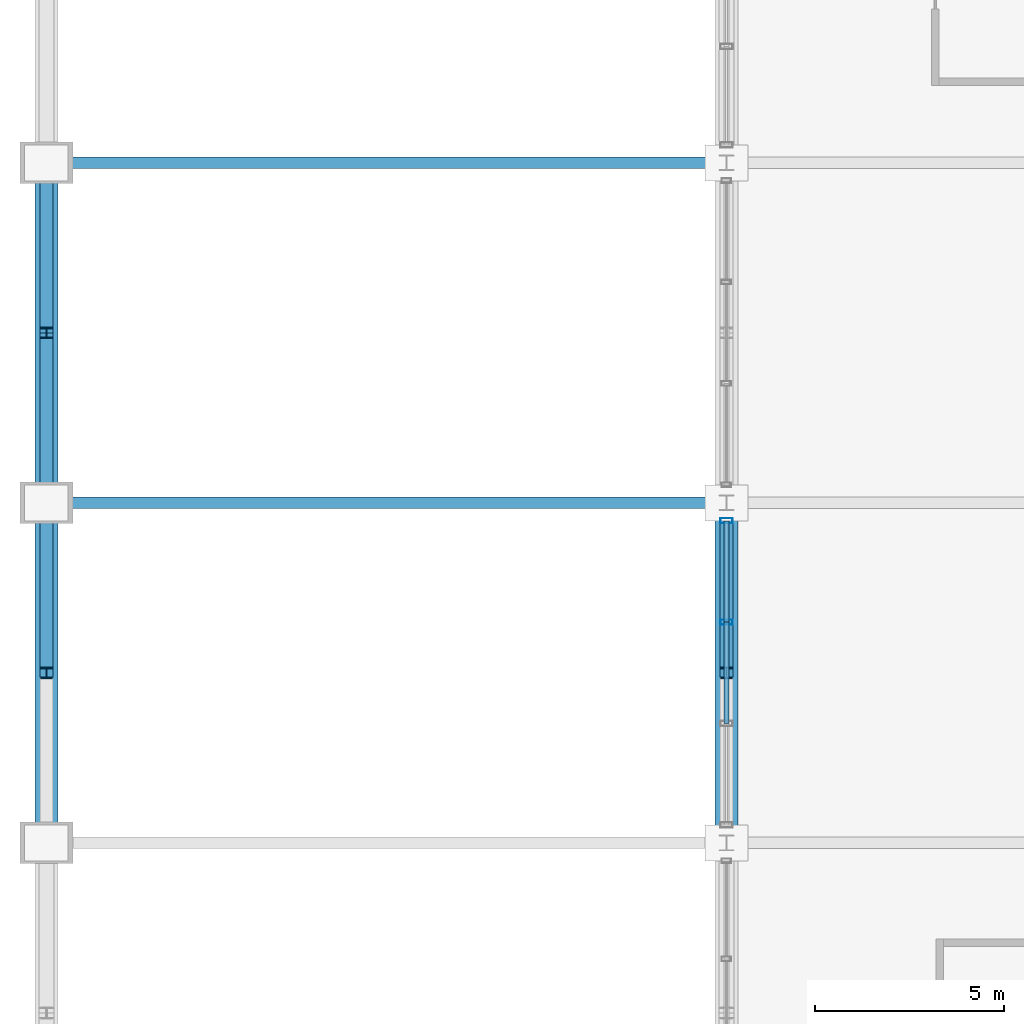
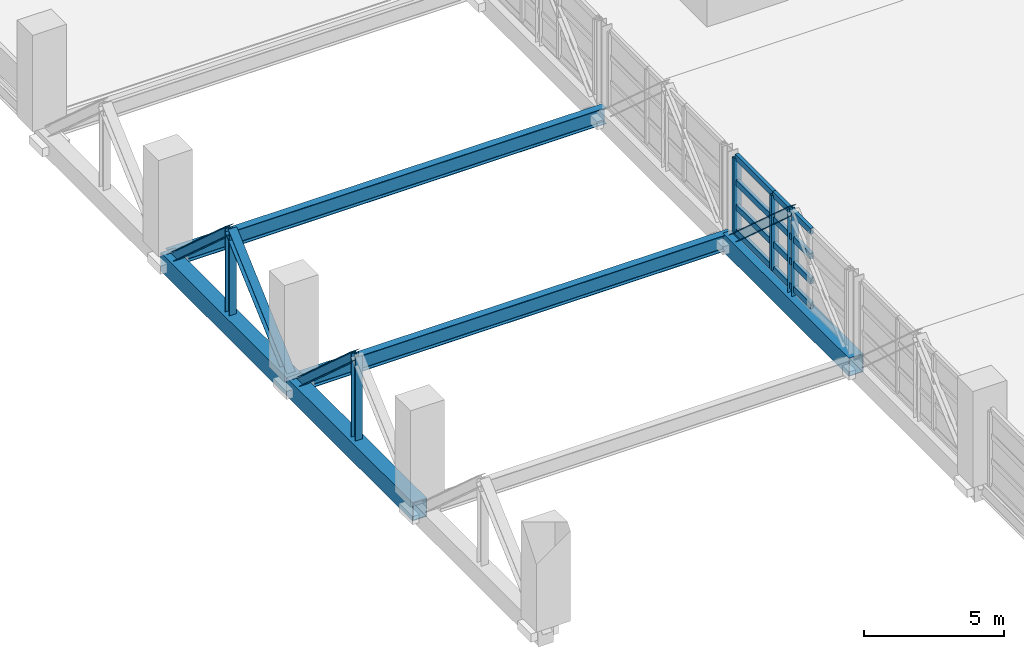
# One storey, part 26 of 136: 17 members, 5 beams, 1 element without a shape of its own.
"""IFC4 building model written with IfcOpenShell, lengths in metres."""

from ifc_helpers import new_model, si_unit, direction, frame, origin, origin_2d, place, context, subcontext, project, spatial, hollow_rectangle, i_section, extrude, material, material_profile, profile_set, type_object, element, aggregate, save


model = new_model("IFC4")

# Units and contexts
model_context = context("Model", 3, precision=1e-05, world=origin(), true_north=direction((0.0, 1.0)))
body_context = subcontext(model_context, "Body", "Model", "MODEL_VIEW")
ifc_project = project(units=[si_unit("LENGTHUNIT", "METRE"), si_unit("AREAUNIT", "SQUARE_METRE"), si_unit("VOLUMEUNIT", "CUBIC_METRE"), si_unit("PLANEANGLEUNIT", "RADIAN"), si_unit("MASSUNIT", "GRAM", prefix="KILO")], contexts=[model_context])

# Site, building, storey
site_placement = place(None, origin())
site = spatial("IfcSite", under=ifc_project, at=site_placement, CompositionType="ELEMENT")
building_placement = place(site_placement, origin())
building = spatial("IfcBuilding", under=site, at=building_placement, Name="Chuanluo Vaults Station", CompositionType="ELEMENT")
storey_placement = place(building_placement, frame((0.0, 0.0, 6.60009765625)))
storey = spatial("IfcBuildingStorey", under=building, at=storey_placement, Name="L01", CompositionType="ELEMENT", Elevation=6.60009765625)

# Beams
ifc_material_1 = material(Name="Steel Q355C", Category="steel")
ifc_material_profile_1 = material_profile(ifc_material_1, i_section(OverallWidth=0.300048828125, OverallDepth=0.699951171875, WebThickness=0.012939453125, FlangeThickness=0.02392578125, FilletRadius=0.02197265625, at=origin_2d()))
ifc_profile_set_1 = profile_set([ifc_material_profile_1], Name="Steel Q355C")
beam_type_1 = type_object("IfcBeamType", Name="BM-GRD-700", PredefinedType="USERDEFINED", material=ifc_profile_set_1)
for number, where, z_axis, x_axis, name in (
    (1, (0.0, 85.5, -0.630126953125), (1.0, 0.0, 0.0), (0.0, 1.0, 0.0), "Over-track concourse floor girder 1-85"),
    (2, (0.0, 94.5, -0.630126953125), (1.0, 0.0, 0.0), (0.0, 1.0, 0.0), "Over-track concourse floor girder 1-94"),
):
    element("IfcBeam", number, at=place(storey_placement, frame(where, z_axis=z_axis, x_axis=x_axis)), inside=storey, type_object=beam_type_1, Name=name, ObjectType="GIRDER", PredefinedType="USERDEFINED", context=body_context, shape_type="SweptSolid", body=[
        extrude(i_section(OverallWidth=0.300048828125, OverallDepth=0.699951171875, WebThickness=0.012939453125, FlangeThickness=0.02392578125, FilletRadius=0.02197265625, at=origin_2d()), origin(), (0.0, 0.0, 1.0), 18.0),
    ])
ifc_material_2 = material(Name="Steel Q390C", Category="steel")
ifc_material_profile_2 = material_profile(ifc_material_2, hollow_rectangle(XDim=0.60009765625, YDim=0.800048828125, WallThickness=0.031982421875, at=origin_2d()))
ifc_profile_set_2 = profile_set([ifc_material_profile_2], Name="Steel Q390C")
beam_type_2 = type_object("IfcBeamType", Name="BM-TT-BOT", PredefinedType="USERDEFINED", material=ifc_profile_set_2)
for number, where, z_axis, x_axis, name in (
    (3, (0.0, 76.5, -0.68017578125), (0.0, 1.0, 0.0), (-1.0, 0.0, 0.0), "Transfer truss TT-1 bottom chord 2"),
    (4, (0.0, 85.5, -0.68017578125), (0.0, 1.0, 0.0), (-1.0, 0.0, 0.0), "Transfer truss TT-1 bottom chord 3"),
    (5, (18.0, 76.5, -0.68017578125), (0.0, 1.0, 0.0), (-1.0, 0.0, 0.0), "Transfer truss TT-2 bottom chord 2"),
):
    element("IfcBeam", number, at=place(storey_placement, frame(where, z_axis=z_axis, x_axis=x_axis)), inside=storey, type_object=beam_type_2, Name=name, ObjectType="GIRDER", PredefinedType="USERDEFINED", context=body_context, shape_type="SweptSolid", body=[
        extrude(hollow_rectangle(XDim=0.60009765625, YDim=0.800048828125, WallThickness=0.031982421875, at=origin_2d()), origin(), (0.0, 0.0, 1.0), 9.0),
    ])

# Curtain wall, members
ifc_material_3 = material(Name="Anodised aluminium 6063-T6", Category="aluminium")
curtain_wall_type = type_object("IfcCurtainWallType", Name="CW-SYS-25", PredefinedType="NOTDEFINED", material=ifc_material_3)
curtain_wall_placement = place(storey_placement, origin())
curtain_wall = element("IfcCurtainWall", 6, at=curtain_wall_placement, inside=storey, type_object=curtain_wall_type, Name="Over-track west hall CW 76", PredefinedType="NOTDEFINED")
ifc_material_4 = material(Name="Anodised aluminium 6063-T6", Category="aluminium")
ifc_material_profile_3 = material_profile(ifc_material_4, hollow_rectangle(XDim=0.139892578125, YDim=0.320068359375, WallThickness=0.008056640625, at=origin_2d()))
ifc_profile_set_3 = profile_set([ifc_material_profile_3], Name="Anodised aluminium 6063-T6")
member_type_1 = type_object("IfcMemberType", Name="CWM-220", PredefinedType="MULLION", material=ifc_profile_set_3)
member_1_placement = place(storey_placement, frame((18.0, 82.341796875, 0.0), z_axis=(0.0, 0.0, 1.0), x_axis=(0.0, 1.0, 0.0)))
member_1 = element("IfcMember", 7, at=member_1_placement, type_object=member_type_1, Name="Over-track west hall CW 76 mullion 3", PredefinedType="MULLION", context=body_context, shape_type="SweptSolid", body=[
    extrude(hollow_rectangle(XDim=0.139892578125, YDim=0.320068359375, WallThickness=0.008056640625, at=origin_2d()), origin(), (0.0, 0.0, 1.0), 3.25),
])
member_2_placement = place(storey_placement, frame((18.0, 85.02490234375, 0.0), z_axis=(0.0, 0.0, 1.0), x_axis=(0.0, 1.0, 0.0)))
member_2 = element("IfcMember", 8, at=member_2_placement, type_object=member_type_1, Name="Over-track west hall CW 76 mullion 4", PredefinedType="MULLION", context=body_context, shape_type="SweptSolid", body=[
    extrude(hollow_rectangle(XDim=0.139892578125, YDim=0.320068359375, WallThickness=0.008056640625, at=origin_2d()), origin(), (0.0, 0.0, 1.0), 3.25),
])
ifc_material_5 = material(Name="Anodised aluminium 6063-T6", Category="aluminium")
ifc_material_profile_4 = material_profile(ifc_material_5, hollow_rectangle(XDim=0.139892578125, YDim=0.260009765625, WallThickness=0.007080078125, at=origin_2d()))
ifc_profile_set_4 = profile_set([ifc_material_profile_4], Name="Anodised aluminium 6063-T6")
member_type_2 = type_object("IfcMemberType", Name="CWT-180", PredefinedType="USERDEFINED", material=ifc_profile_set_4)
member_3_placement = place(storey_placement, frame((18.0, 79.658203125, 0.0), z_axis=(0.0, 1.0, 0.0), x_axis=(-1.0, 0.0, 0.0)))
member_3 = element("IfcMember", 9, at=member_3_placement, type_object=member_type_2, Name="Over-track west hall CW 76 transom 2.1", ObjectType="TRANSOM", PredefinedType="USERDEFINED", context=body_context, shape_type="SweptSolid", body=[
    extrude(hollow_rectangle(XDim=0.139892578125, YDim=0.260009765625, WallThickness=0.007080078125, at=origin_2d()), origin(), (0.0, 0.0, 1.0), 2.68359375),
])
member_4_placement = place(storey_placement, frame((18.0, 79.658203125, 1.083251953125), z_axis=(0.0, 1.0, 0.0), x_axis=(-1.0, 0.0, 0.0)))
member_4 = element("IfcMember", 10, at=member_4_placement, type_object=member_type_2, Name="Over-track west hall CW 76 transom 2.2", ObjectType="TRANSOM", PredefinedType="USERDEFINED", context=body_context, shape_type="SweptSolid", body=[
    extrude(hollow_rectangle(XDim=0.139892578125, YDim=0.260009765625, WallThickness=0.007080078125, at=origin_2d()), origin(), (0.0, 0.0, 1.0), 2.68359375),
])
member_5_placement = place(storey_placement, frame((18.0, 79.658203125, 2.16650390625), z_axis=(0.0, 1.0, 0.0), x_axis=(-1.0, 0.0, 0.0)))
member_5 = element("IfcMember", 11, at=member_5_placement, type_object=member_type_2, Name="Over-track west hall CW 76 transom 2.3", ObjectType="TRANSOM", PredefinedType="USERDEFINED", context=body_context, shape_type="SweptSolid", body=[
    extrude(hollow_rectangle(XDim=0.139892578125, YDim=0.260009765625, WallThickness=0.007080078125, at=origin_2d()), origin(), (0.0, 0.0, 1.0), 2.68359375),
])
member_6_placement = place(storey_placement, frame((18.0, 79.658203125, 3.25), z_axis=(0.0, 1.0, 0.0), x_axis=(-1.0, 0.0, 0.0)))
member_6 = element("IfcMember", 12, at=member_6_placement, type_object=member_type_2, Name="Over-track west hall CW 76 transom 2.4", ObjectType="TRANSOM", PredefinedType="USERDEFINED", context=body_context, shape_type="SweptSolid", body=[
    extrude(hollow_rectangle(XDim=0.139892578125, YDim=0.260009765625, WallThickness=0.007080078125, at=origin_2d()), origin(), (0.0, 0.0, 1.0), 2.68359375),
])
member_7_placement = place(storey_placement, frame((18.0, 82.341796875, 0.0), z_axis=(0.0, 1.0, 0.0), x_axis=(-1.0, 0.0, 0.0)))
member_7 = element("IfcMember", 13, at=member_7_placement, type_object=member_type_2, Name="Over-track west hall CW 76 transom 3.1", ObjectType="TRANSOM", PredefinedType="USERDEFINED", context=body_context, shape_type="SweptSolid", body=[
    extrude(hollow_rectangle(XDim=0.139892578125, YDim=0.260009765625, WallThickness=0.007080078125, at=origin_2d()), origin(), (0.0, 0.0, 1.0), 2.68310546875),
])
member_8_placement = place(storey_placement, frame((18.0, 82.341796875, 1.083251953125), z_axis=(0.0, 1.0, 0.0), x_axis=(-1.0, 0.0, 0.0)))
member_8 = element("IfcMember", 14, at=member_8_placement, type_object=member_type_2, Name="Over-track west hall CW 76 transom 3.2", ObjectType="TRANSOM", PredefinedType="USERDEFINED", context=body_context, shape_type="SweptSolid", body=[
    extrude(hollow_rectangle(XDim=0.139892578125, YDim=0.260009765625, WallThickness=0.007080078125, at=origin_2d()), origin(), (0.0, 0.0, 1.0), 2.68310546875),
])
member_9_placement = place(storey_placement, frame((18.0, 82.341796875, 2.16650390625), z_axis=(0.0, 1.0, 0.0), x_axis=(-1.0, 0.0, 0.0)))
member_9 = element("IfcMember", 15, at=member_9_placement, type_object=member_type_2, Name="Over-track west hall CW 76 transom 3.3", ObjectType="TRANSOM", PredefinedType="USERDEFINED", context=body_context, shape_type="SweptSolid", body=[
    extrude(hollow_rectangle(XDim=0.139892578125, YDim=0.260009765625, WallThickness=0.007080078125, at=origin_2d()), origin(), (0.0, 0.0, 1.0), 2.68310546875),
])
member_10_placement = place(storey_placement, frame((18.0, 82.341796875, 3.25), z_axis=(0.0, 1.0, 0.0), x_axis=(-1.0, 0.0, 0.0)))
member_10 = element("IfcMember", 16, at=member_10_placement, type_object=member_type_2, Name="Over-track west hall CW 76 transom 3.4", ObjectType="TRANSOM", PredefinedType="USERDEFINED", context=body_context, shape_type="SweptSolid", body=[
    extrude(hollow_rectangle(XDim=0.139892578125, YDim=0.260009765625, WallThickness=0.007080078125, at=origin_2d()), origin(), (0.0, 0.0, 1.0), 2.68310546875),
])
aggregate(curtain_wall, [member_1, member_2, member_3, member_4, member_5, member_6, member_7, member_8, member_9, member_10])

# Members
ifc_material_6 = material(Name="Steel Q390C", Category="steel")
ifc_material_profile_5 = material_profile(ifc_material_6, i_section(OverallWidth=0.35009765625, OverallDepth=0.35009765625, WebThickness=0.011962890625, FlangeThickness=0.01904296875, FilletRadius=0.02001953125, at=origin_2d()))
ifc_profile_set_5 = profile_set([ifc_material_profile_5], Name="Steel Q390C")
member_type_3 = type_object("IfcMemberType", Name="MEM-DIAG-350", PredefinedType="BRACE", material=ifc_profile_set_5)
for number, where, z_axis, x_axis, name in (
    (17, (0.0, 81.0, 3.349853515625), (0.0, 0.744935757439, -0.667136205949), (-1.0, 0.0, 0.0), "Transfer truss TT-1 diagonal 2B"),
    (18, (0.0, 85.5, -0.68017578125), (0.0, 0.744935757439, 0.667136205949), (-1.0, 0.0, 0.0), "Transfer truss TT-1 diagonal 3A"),
    (19, (0.0, 90.0, 3.349853515625), (0.0, 0.744935757439, -0.667136205949), (-1.0, 0.0, 0.0), "Transfer truss TT-1 diagonal 3B"),
    (20, (18.0, 81.0, 3.349853515625), (0.0, 0.744935757439, -0.667136205949), (-1.0, 0.0, 0.0), "Transfer truss TT-2 diagonal 2B"),
):
    element("IfcMember", number, at=place(storey_placement, frame(where, z_axis=z_axis, x_axis=x_axis)), inside=storey, type_object=member_type_3, Name=name, PredefinedType="BRACE", context=body_context, shape_type="SweptSolid", body=[
        extrude(i_section(OverallWidth=0.35009765625, OverallDepth=0.35009765625, WebThickness=0.011962890625, FlangeThickness=0.01904296875, FilletRadius=0.02001953125, at=origin_2d()), origin(), (0.0, 0.0, 1.0), 6.040771484375),
    ])
ifc_material_7 = material(Name="Steel Q390C", Category="steel")
ifc_material_profile_6 = material_profile(ifc_material_7, i_section(OverallWidth=0.300048828125, OverallDepth=0.300048828125, WebThickness=0.010009765625, FlangeThickness=0.014892578125, FilletRadius=0.01806640625, at=origin_2d()))
ifc_profile_set_6 = profile_set([ifc_material_profile_6], Name="Steel Q390C")
member_type_4 = type_object("IfcMemberType", Name="MEM-VERT-300", PredefinedType="POST", material=ifc_profile_set_6)
for number, where, z_axis, x_axis, name in (
    (21, (0.0, 81.0, -0.68017578125), (0.0, 0.0, 1.0), (1.0, 0.0, 0.0), "Transfer truss TT-1 mid-panel hanger 2"),
    (22, (0.0, 90.0, -0.68017578125), (0.0, 0.0, 1.0), (1.0, 0.0, 0.0), "Transfer truss TT-1 mid-panel hanger 3"),
    (23, (18.0, 81.0, -0.68017578125), (0.0, 0.0, 1.0), (1.0, 0.0, 0.0), "Transfer truss TT-2 mid-panel hanger 2"),
):
    element("IfcMember", number, at=place(storey_placement, frame(where, z_axis=z_axis, x_axis=x_axis)), inside=storey, type_object=member_type_4, Name=name, PredefinedType="POST", context=body_context, shape_type="SweptSolid", body=[
        extrude(i_section(OverallWidth=0.300048828125, OverallDepth=0.300048828125, WebThickness=0.010009765625, FlangeThickness=0.014892578125, FilletRadius=0.01806640625, at=origin_2d()), origin(), (0.0, 0.0, 1.0), 4.030029296875),
    ])

save(model, "model.ifc")
